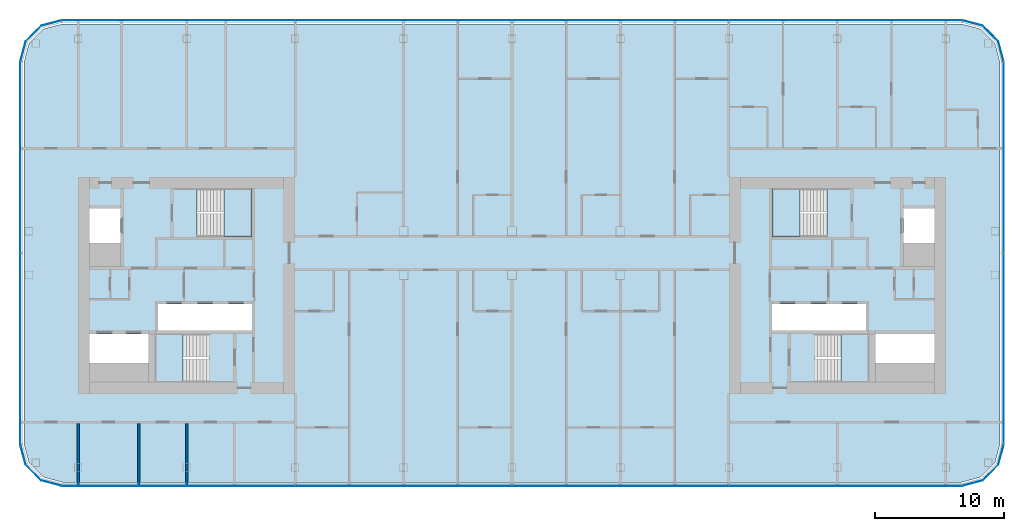
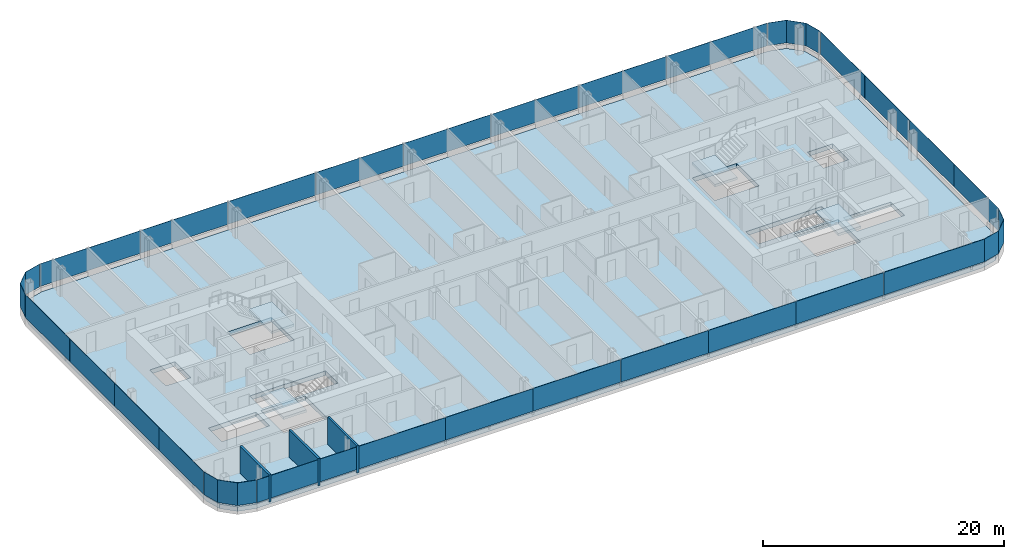
# One storey, part 12 of 26: 28 plates, 5 slabs, 3 walls, 12 elements without a shape of their own.
"""IFC4 building model written with IfcOpenShell, lengths in metres."""

from ifc_helpers import new_model, si_unit, direction, frame, frame_2d, origin, origin_2d, place, context, subcontext, project, spatial, polyline, rectangle, outline, extrude, material, layer, layer_set, type_object, element, aggregate, save


model = new_model("IFC4")

# Units and contexts
model_context = context("Model", 3, precision=1e-05, world=origin(), true_north=direction((0.0, 1.0)))
body_context = subcontext(model_context, "Body", "Model", "MODEL_VIEW")
ifc_project = project(units=[si_unit("LENGTHUNIT", "METRE"), si_unit("AREAUNIT", "SQUARE_METRE"), si_unit("VOLUMEUNIT", "CUBIC_METRE"), si_unit("PLANEANGLEUNIT", "RADIAN"), si_unit("MASSUNIT", "GRAM", prefix="KILO")], contexts=[model_context])

# Site, building, storey
site_placement = place(None, origin())
site = spatial("IfcSite", under=ifc_project, at=site_placement, CompositionType="ELEMENT")
building_placement = place(site_placement, origin())
building = spatial("IfcBuilding", under=site, at=building_placement, Name="Hakoniwa Tower and Hamabe Station Hall", CompositionType="ELEMENT")
storey_placement = place(building_placement, frame((0.0, 0.0, 215.39990234375)))
storey = spatial("IfcBuildingStorey", under=building, at=storey_placement, Name="L61", CompositionType="ELEMENT", Elevation=215.39990234375)

# Stair, slab
ifc_material_1 = material(Name="Concrete C40", Category="concrete")
stair_type = type_object("IfcStairType", Name="ESCAPE STAIR 1800", PredefinedType="HALF_TURN_STAIR", material=ifc_material_1)
stair_1_placement = place(storey_placement, origin())
stair_1 = element("IfcStair", 1, at=stair_1_placement, inside=storey, type_object=stair_type, Name="Escape stair ST-1 L61", PredefinedType="HALF_TURN_STAIR")
ifc_material_2 = material(Name="Concrete C40", Category="concrete")
ifc_layer_1 = layer(ifc_material_2, 0.25)
ifc_layer_set_1 = layer_set([ifc_layer_1], Name="CORE STAIR LANDING 250")
slab_type_1 = type_object("IfcSlabType", Name="CORE STAIR LANDING 250", PredefinedType="LANDING", material=ifc_layer_set_1)
slab_1_placement = place(storey_placement, frame((0.0, 0.0, 1.35009765625)))
slab_1 = element("IfcSlab", 2, at=slab_1_placement, type_object=slab_type_1, Name="ST-1 landing 1", PredefinedType="LANDING", context=body_context, shape_type="SweptSolid", body=[
    extrude(outline(polyline([(-22.320068359375, 3.75), (-20.14990234375, 3.75), (-20.14990234375, 7.5), (-22.320068359375, 7.5), (-22.320068359375, 3.75)])), origin(), (0.0, 0.0, 1.0), 0.25),
])
aggregate(stair_1, [slab_1])

stair_2_placement = place(storey_placement, origin())
stair_2 = element("IfcStair", 3, at=stair_2_placement, inside=storey, type_object=stair_type, Name="Escape stair ST-2 L61", PredefinedType="HALF_TURN_STAIR")
slab_2_placement = place(storey_placement, frame((0.0, 0.0, 1.35009765625)))
slab_2 = element("IfcSlab", 4, at=slab_2_placement, type_object=slab_type_1, Name="ST-2 landing 1", PredefinedType="LANDING", context=body_context, shape_type="SweptSolid", body=[
    extrude(outline(polyline([(-25.47998046875, -7.5), (-27.64990234375, -7.5), (-27.64990234375, -3.75), (-25.47998046875, -3.75), (-25.47998046875, -7.5)])), origin(), (0.0, 0.0, 1.0), 0.25),
])
aggregate(stair_2, [slab_2])

stair_3_placement = place(storey_placement, origin())
stair_3 = element("IfcStair", 5, at=stair_3_placement, inside=storey, type_object=stair_type, Name="Escape stair ST-3 L61", PredefinedType="HALF_TURN_STAIR")
slab_3_placement = place(storey_placement, frame((0.0, 0.0, 1.35009765625)))
slab_3 = element("IfcSlab", 6, at=slab_3_placement, type_object=slab_type_1, Name="ST-3 landing 1", PredefinedType="LANDING", context=body_context, shape_type="SweptSolid", body=[
    extrude(outline(polyline([(22.320068359375, 3.75), (20.14990234375, 3.75), (20.14990234375, 7.5), (22.320068359375, 7.5), (22.320068359375, 3.75)])), origin(), (0.0, 0.0, 1.0), 0.25),
])
aggregate(stair_3, [slab_3])

stair_4_placement = place(storey_placement, origin())
stair_4 = element("IfcStair", 7, at=stair_4_placement, inside=storey, type_object=stair_type, Name="Escape stair ST-4 L61", PredefinedType="HALF_TURN_STAIR")
slab_4_placement = place(storey_placement, frame((0.0, 0.0, 1.35009765625)))
slab_4 = element("IfcSlab", 8, at=slab_4_placement, type_object=slab_type_1, Name="ST-4 landing 1", PredefinedType="LANDING", context=body_context, shape_type="SweptSolid", body=[
    extrude(outline(polyline([(25.47998046875, -7.5), (27.64990234375, -7.5), (27.64990234375, -3.75), (25.47998046875, -3.75), (25.47998046875, -7.5)])), origin(), (0.0, 0.0, 1.0), 0.25),
])
aggregate(stair_4, [slab_4])

# Curtain wall, plates
ifc_material_3 = material(Name="Dark low-e laminated glass", Category="glass")
ifc_layer_2 = layer(ifc_material_3, 0.199951171875)
ifc_layer_set_2 = layer_set([ifc_layer_2], Name="CW-1 UNITISED GUEST")
curtain_wall_type = type_object("IfcCurtainWallType", Name="CW-1 UNITISED GUEST", PredefinedType="NOTDEFINED", material=ifc_layer_set_2)
curtain_wall_1_placement = place(storey_placement, origin())
curtain_wall_1 = element("IfcCurtainWall", 9, at=curtain_wall_1_placement, inside=storey, type_object=curtain_wall_type, Name="CW-1 curtain wall", PredefinedType="NOTDEFINED")
ifc_material_4 = material(Name="Dark low-e laminated glass", Category="glass")
ifc_layer_3 = layer(ifc_material_4, 0.028076171875)
ifc_layer_set_3 = layer_set([ifc_layer_3], Name="CW-1 GLASS UNIT")
plate_type = type_object("IfcPlateType", Name="CW-1 GLASS UNIT", PredefinedType="CURTAIN_PANEL", material=ifc_layer_set_3)
plate_1_placement = place(storey_placement, frame((38.0859375, -8.592041015625, 0.35009765625), z_axis=(0.0, 0.0, 1.0), x_axis=(0.0, 1.0, 0.0)))
plate_1 = element("IfcPlate", 10, at=plate_1_placement, type_object=plate_type, Name="CW-1 glass unit", PredefinedType="CURTAIN_PANEL", context=body_context, shape_type="SweptSolid", body=[
    extrude(rectangle(XDim=7.374755859375, YDim=0.028076171875, at=origin_2d()), origin(), (0.0, 0.0, 1.0), 2.300048828125),
])
plate_2_placement = place(storey_placement, frame((38.0859375, -1.197265625, 0.35009765625), z_axis=(0.0, 0.0, 1.0), x_axis=(0.0, 1.0, 0.0)))
plate_2 = element("IfcPlate", 11, at=plate_2_placement, type_object=plate_type, Name="CW-1 glass unit", PredefinedType="CURTAIN_PANEL", context=body_context, shape_type="SweptSolid", body=[
    extrude(rectangle(XDim=7.374755859375, YDim=0.028076171875, at=origin_2d()), origin(), (0.0, 0.0, 1.0), 2.300048828125),
])
plate_3_placement = place(storey_placement, frame((38.0859375, 6.197265625, 0.35009765625), z_axis=(0.0, 0.0, 1.0), x_axis=(0.0, 1.0, 0.0)))
plate_3 = element("IfcPlate", 12, at=plate_3_placement, type_object=plate_type, Name="CW-1 glass unit", PredefinedType="CURTAIN_PANEL", context=body_context, shape_type="SweptSolid", body=[
    extrude(rectangle(XDim=7.374755859375, YDim=0.028076171875, at=origin_2d()), origin(), (0.0, 0.0, 1.0), 2.300048828125),
])
plate_4_placement = place(storey_placement, frame((38.0859375, 13.592041015625, 0.35009765625), z_axis=(0.0, 0.0, 1.0), x_axis=(0.0, 1.0, 0.0)))
plate_4 = element("IfcPlate", 13, at=plate_4_placement, type_object=plate_type, Name="CW-1 glass unit", PredefinedType="CURTAIN_PANEL", context=body_context, shape_type="SweptSolid", body=[
    extrude(rectangle(XDim=7.374755859375, YDim=0.028076171875, at=origin_2d()), origin(), (0.0, 0.0, 1.0), 2.300048828125),
])
aggregate(curtain_wall_1, [plate_1, plate_2, plate_3, plate_4])

# Curtain wall, plate
curtain_wall_2_placement = place(storey_placement, origin())
curtain_wall_2 = element("IfcCurtainWall", 14, at=curtain_wall_2_placement, inside=storey, type_object=curtain_wall_type, Name="CW-1 curtain wall", PredefinedType="NOTDEFINED")
plate_5_placement = place(storey_placement, frame((0.0, 0.0, 0.35009765625)))
plate_5 = element("IfcPlate", 15, at=plate_5_placement, type_object=plate_type, Name="CW-1 curved corner unit", PredefinedType="CURTAIN_PANEL", context=body_context, shape_type="SweptSolid", body=[
    extrude(outline(polyline([(38.089599609375, 17.328125), (37.6669921875, 18.9052734375), (36.455322265625, 20.116943359375), (34.878173828125, 20.53955078125), (34.870849609375, 20.5126953125), (36.44091796875, 20.092041015625), (37.641845703125, 18.890869140625), (38.0625, 17.32080078125), (38.089599609375, 17.328125)])), origin(), (0.0, 0.0, 1.0), 2.300048828125),
])
aggregate(curtain_wall_2, [plate_5])

# Curtain wall, plates
curtain_wall_3_placement = place(storey_placement, origin())
curtain_wall_3 = element("IfcCurtainWall", 16, at=curtain_wall_3_placement, inside=storey, type_object=curtain_wall_type, Name="CW-1 curtain wall", PredefinedType="NOTDEFINED")
plate_6_placement = place(storey_placement, frame((30.019775390625, 20.535888671875, 0.35009765625), z_axis=(0.0, 0.0, 1.0), x_axis=(-1.0, 0.0, 0.0)))
plate_6 = element("IfcPlate", 17, at=plate_6_placement, type_object=plate_type, Name="CW-1 glass unit", PredefinedType="CURTAIN_PANEL", context=body_context, shape_type="SweptSolid", body=[
    extrude(rectangle(XDim=9.619384765625, YDim=0.028076171875, at=origin_2d()), origin(), (0.0, 0.0, 1.0), 2.300048828125),
])
plate_7_placement = place(storey_placement, frame((21.0, 20.535888671875, 0.35009765625), z_axis=(0.0, 0.0, 1.0), x_axis=(-1.0, 0.0, 0.0)))
plate_7 = element("IfcPlate", 18, at=plate_7_placement, type_object=plate_type, Name="CW-1 glass unit", PredefinedType="CURTAIN_PANEL", context=body_context, shape_type="SweptSolid", body=[
    extrude(rectangle(XDim=8.3798828125, YDim=0.028076171875, at=origin_2d()), origin(), (0.0, 0.0, 1.0), 2.300048828125),
])
plate_8_placement = place(storey_placement, frame((12.60009765625, 20.535888671875, 0.35009765625), z_axis=(0.0, 0.0, 1.0), x_axis=(-1.0, 0.0, 0.0)))
plate_8 = element("IfcPlate", 19, at=plate_8_placement, type_object=plate_type, Name="CW-1 glass unit", PredefinedType="CURTAIN_PANEL", context=body_context, shape_type="SweptSolid", body=[
    extrude(rectangle(XDim=8.3798828125, YDim=0.028076171875, at=origin_2d()), origin(), (0.0, 0.0, 1.0), 2.300048828125),
])
plate_9_placement = place(storey_placement, frame((4.199951171875, 20.535888671875, 0.35009765625), z_axis=(0.0, 0.0, 1.0), x_axis=(-1.0, 0.0, 0.0)))
plate_9 = element("IfcPlate", 20, at=plate_9_placement, type_object=plate_type, Name="CW-1 glass unit", PredefinedType="CURTAIN_PANEL", context=body_context, shape_type="SweptSolid", body=[
    extrude(rectangle(XDim=8.3798828125, YDim=0.028076171875, at=origin_2d()), origin(), (0.0, 0.0, 1.0), 2.300048828125),
])
plate_10_placement = place(storey_placement, frame((-4.199951171875, 20.535888671875, 0.35009765625), z_axis=(0.0, 0.0, 1.0), x_axis=(-1.0, 0.0, 0.0)))
plate_10 = element("IfcPlate", 21, at=plate_10_placement, type_object=plate_type, Name="CW-1 glass unit", PredefinedType="CURTAIN_PANEL", context=body_context, shape_type="SweptSolid", body=[
    extrude(rectangle(XDim=8.3798828125, YDim=0.028076171875, at=origin_2d()), origin(), (0.0, 0.0, 1.0), 2.300048828125),
])
plate_11_placement = place(storey_placement, frame((-12.60009765625, 20.535888671875, 0.35009765625), z_axis=(0.0, 0.0, 1.0), x_axis=(-1.0, 0.0, 0.0)))
plate_11 = element("IfcPlate", 22, at=plate_11_placement, type_object=plate_type, Name="CW-1 glass unit", PredefinedType="CURTAIN_PANEL", context=body_context, shape_type="SweptSolid", body=[
    extrude(rectangle(XDim=8.3798828125, YDim=0.028076171875, at=origin_2d()), origin(), (0.0, 0.0, 1.0), 2.300048828125),
])
plate_12_placement = place(storey_placement, frame((-21.0, 20.535888671875, 0.35009765625), z_axis=(0.0, 0.0, 1.0), x_axis=(-1.0, 0.0, 0.0)))
plate_12 = element("IfcPlate", 23, at=plate_12_placement, type_object=plate_type, Name="CW-1 glass unit", PredefinedType="CURTAIN_PANEL", context=body_context, shape_type="SweptSolid", body=[
    extrude(rectangle(XDim=8.3798828125, YDim=0.028076171875, at=origin_2d()), origin(), (0.0, 0.0, 1.0), 2.300048828125),
])
plate_13_placement = place(storey_placement, frame((-30.019775390625, 20.535888671875, 0.35009765625), z_axis=(0.0, 0.0, 1.0), x_axis=(-1.0, 0.0, 0.0)))
plate_13 = element("IfcPlate", 24, at=plate_13_placement, type_object=plate_type, Name="CW-1 glass unit", PredefinedType="CURTAIN_PANEL", context=body_context, shape_type="SweptSolid", body=[
    extrude(rectangle(XDim=9.619384765625, YDim=0.028076171875, at=origin_2d()), origin(), (0.0, 0.0, 1.0), 2.300048828125),
])
aggregate(curtain_wall_3, [plate_6, plate_7, plate_8, plate_9, plate_10, plate_11, plate_12, plate_13])

# Curtain wall, plate
curtain_wall_4_placement = place(storey_placement, origin())
curtain_wall_4 = element("IfcCurtainWall", 25, at=curtain_wall_4_placement, inside=storey, type_object=curtain_wall_type, Name="CW-1 curtain wall", PredefinedType="NOTDEFINED")
plate_14_placement = place(storey_placement, frame((0.0, 0.0, 0.35009765625)))
plate_14 = element("IfcPlate", 26, at=plate_14_placement, type_object=plate_type, Name="CW-1 curved corner unit", PredefinedType="CURTAIN_PANEL", context=body_context, shape_type="SweptSolid", body=[
    extrude(outline(polyline([(-34.878173828125, 20.53955078125), (-36.455322265625, 20.116943359375), (-37.6669921875, 18.9052734375), (-38.089599609375, 17.328125), (-38.0625, 17.32080078125), (-37.641845703125, 18.890869140625), (-36.44091796875, 20.092041015625), (-34.870849609375, 20.5126953125), (-34.878173828125, 20.53955078125)])), origin(), (0.0, 0.0, 1.0), 2.300048828125),
])
aggregate(curtain_wall_4, [plate_14])

# Curtain wall, plates
curtain_wall_5_placement = place(storey_placement, origin())
curtain_wall_5 = element("IfcCurtainWall", 27, at=curtain_wall_5_placement, inside=storey, type_object=curtain_wall_type, Name="CW-1 curtain wall", PredefinedType="NOTDEFINED")
plate_15_placement = place(storey_placement, frame((-38.0859375, 13.592041015625, 0.35009765625), z_axis=(0.0, 0.0, 1.0), x_axis=(0.0, -1.0, 0.0)))
plate_15 = element("IfcPlate", 28, at=plate_15_placement, type_object=plate_type, Name="CW-1 glass unit", PredefinedType="CURTAIN_PANEL", context=body_context, shape_type="SweptSolid", body=[
    extrude(rectangle(XDim=7.374755859375, YDim=0.028076171875, at=origin_2d()), origin(), (0.0, 0.0, 1.0), 2.300048828125),
])
plate_16_placement = place(storey_placement, frame((-38.0859375, 6.197265625, 0.35009765625), z_axis=(0.0, 0.0, 1.0), x_axis=(0.0, -1.0, 0.0)))
plate_16 = element("IfcPlate", 29, at=plate_16_placement, type_object=plate_type, Name="CW-1 glass unit", PredefinedType="CURTAIN_PANEL", context=body_context, shape_type="SweptSolid", body=[
    extrude(rectangle(XDim=7.374755859375, YDim=0.028076171875, at=origin_2d()), origin(), (0.0, 0.0, 1.0), 2.300048828125),
])
plate_17_placement = place(storey_placement, frame((-38.0859375, -1.197265625, 0.35009765625), z_axis=(0.0, 0.0, 1.0), x_axis=(0.0, -1.0, 0.0)))
plate_17 = element("IfcPlate", 30, at=plate_17_placement, type_object=plate_type, Name="CW-1 glass unit", PredefinedType="CURTAIN_PANEL", context=body_context, shape_type="SweptSolid", body=[
    extrude(rectangle(XDim=7.374755859375, YDim=0.028076171875, at=origin_2d()), origin(), (0.0, 0.0, 1.0), 2.300048828125),
])
plate_18_placement = place(storey_placement, frame((-38.0859375, -8.592041015625, 0.35009765625), z_axis=(0.0, 0.0, 1.0), x_axis=(0.0, -1.0, 0.0)))
plate_18 = element("IfcPlate", 31, at=plate_18_placement, type_object=plate_type, Name="CW-1 glass unit", PredefinedType="CURTAIN_PANEL", context=body_context, shape_type="SweptSolid", body=[
    extrude(rectangle(XDim=7.374755859375, YDim=0.028076171875, at=origin_2d()), origin(), (0.0, 0.0, 1.0), 2.300048828125),
])
aggregate(curtain_wall_5, [plate_15, plate_16, plate_17, plate_18])

# Curtain wall, plate
curtain_wall_6_placement = place(storey_placement, origin())
curtain_wall_6 = element("IfcCurtainWall", 32, at=curtain_wall_6_placement, inside=storey, type_object=curtain_wall_type, Name="CW-1 curtain wall", PredefinedType="NOTDEFINED")
plate_19_placement = place(storey_placement, frame((0.0, 0.0, 0.35009765625)))
plate_19 = element("IfcPlate", 33, at=plate_19_placement, type_object=plate_type, Name="CW-1 curved corner unit", PredefinedType="CURTAIN_PANEL", context=body_context, shape_type="SweptSolid", body=[
    extrude(outline(polyline([(-38.089599609375, -12.328125), (-37.6669921875, -13.9052734375), (-36.455322265625, -15.116943359375), (-34.878173828125, -15.53955078125), (-34.870849609375, -15.5126953125), (-36.44091796875, -15.092041015625), (-37.641845703125, -13.890869140625), (-38.0625, -12.32080078125), (-38.089599609375, -12.328125)])), origin(), (0.0, 0.0, 1.0), 2.300048828125),
])
aggregate(curtain_wall_6, [plate_19])

# Curtain wall, plates
curtain_wall_7_placement = place(storey_placement, origin())
curtain_wall_7 = element("IfcCurtainWall", 34, at=curtain_wall_7_placement, inside=storey, type_object=curtain_wall_type, Name="CW-1 curtain wall", PredefinedType="NOTDEFINED")
plate_20_placement = place(storey_placement, frame((-30.019775390625, -15.535888671875, 0.35009765625), z_axis=(0.0, 0.0, 1.0), x_axis=(1.0, 0.0, 0.0)))
plate_20 = element("IfcPlate", 35, at=plate_20_placement, type_object=plate_type, Name="CW-1 glass unit", PredefinedType="CURTAIN_PANEL", context=body_context, shape_type="SweptSolid", body=[
    extrude(rectangle(XDim=9.619384765625, YDim=0.028076171875, at=origin_2d()), origin(), (0.0, 0.0, 1.0), 2.300048828125),
])
plate_21_placement = place(storey_placement, frame((-21.0, -15.535888671875, 0.35009765625), z_axis=(0.0, 0.0, 1.0), x_axis=(1.0, 0.0, 0.0)))
plate_21 = element("IfcPlate", 36, at=plate_21_placement, type_object=plate_type, Name="CW-1 glass unit", PredefinedType="CURTAIN_PANEL", context=body_context, shape_type="SweptSolid", body=[
    extrude(rectangle(XDim=8.3798828125, YDim=0.028076171875, at=origin_2d()), origin(), (0.0, 0.0, 1.0), 2.300048828125),
])
plate_22_placement = place(storey_placement, frame((-12.60009765625, -15.535888671875, 0.35009765625), z_axis=(0.0, 0.0, 1.0), x_axis=(1.0, 0.0, 0.0)))
plate_22 = element("IfcPlate", 37, at=plate_22_placement, type_object=plate_type, Name="CW-1 glass unit", PredefinedType="CURTAIN_PANEL", context=body_context, shape_type="SweptSolid", body=[
    extrude(rectangle(XDim=8.3798828125, YDim=0.028076171875, at=origin_2d()), origin(), (0.0, 0.0, 1.0), 2.300048828125),
])
plate_23_placement = place(storey_placement, frame((-4.199951171875, -15.535888671875, 0.35009765625), z_axis=(0.0, 0.0, 1.0), x_axis=(1.0, 0.0, 0.0)))
plate_23 = element("IfcPlate", 38, at=plate_23_placement, type_object=plate_type, Name="CW-1 glass unit", PredefinedType="CURTAIN_PANEL", context=body_context, shape_type="SweptSolid", body=[
    extrude(rectangle(XDim=8.3798828125, YDim=0.028076171875, at=origin_2d()), origin(), (0.0, 0.0, 1.0), 2.300048828125),
])
plate_24_placement = place(storey_placement, frame((4.199951171875, -15.535888671875, 0.35009765625), z_axis=(0.0, 0.0, 1.0), x_axis=(1.0, 0.0, 0.0)))
plate_24 = element("IfcPlate", 39, at=plate_24_placement, type_object=plate_type, Name="CW-1 glass unit", PredefinedType="CURTAIN_PANEL", context=body_context, shape_type="SweptSolid", body=[
    extrude(rectangle(XDim=8.3798828125, YDim=0.028076171875, at=origin_2d()), origin(), (0.0, 0.0, 1.0), 2.300048828125),
])
plate_25_placement = place(storey_placement, frame((12.60009765625, -15.535888671875, 0.35009765625), z_axis=(0.0, 0.0, 1.0), x_axis=(1.0, 0.0, 0.0)))
plate_25 = element("IfcPlate", 40, at=plate_25_placement, type_object=plate_type, Name="CW-1 glass unit", PredefinedType="CURTAIN_PANEL", context=body_context, shape_type="SweptSolid", body=[
    extrude(rectangle(XDim=8.3798828125, YDim=0.028076171875, at=origin_2d()), origin(), (0.0, 0.0, 1.0), 2.300048828125),
])
plate_26_placement = place(storey_placement, frame((21.0, -15.535888671875, 0.35009765625), z_axis=(0.0, 0.0, 1.0), x_axis=(1.0, 0.0, 0.0)))
plate_26 = element("IfcPlate", 41, at=plate_26_placement, type_object=plate_type, Name="CW-1 glass unit", PredefinedType="CURTAIN_PANEL", context=body_context, shape_type="SweptSolid", body=[
    extrude(rectangle(XDim=8.3798828125, YDim=0.028076171875, at=origin_2d()), origin(), (0.0, 0.0, 1.0), 2.300048828125),
])
plate_27_placement = place(storey_placement, frame((30.019775390625, -15.535888671875, 0.35009765625), z_axis=(0.0, 0.0, 1.0), x_axis=(1.0, 0.0, 0.0)))
plate_27 = element("IfcPlate", 42, at=plate_27_placement, type_object=plate_type, Name="CW-1 glass unit", PredefinedType="CURTAIN_PANEL", context=body_context, shape_type="SweptSolid", body=[
    extrude(rectangle(XDim=9.619384765625, YDim=0.028076171875, at=origin_2d()), origin(), (0.0, 0.0, 1.0), 2.300048828125),
])
aggregate(curtain_wall_7, [plate_20, plate_21, plate_22, plate_23, plate_24, plate_25, plate_26, plate_27])

# Curtain wall, plate
curtain_wall_8_placement = place(storey_placement, origin())
curtain_wall_8 = element("IfcCurtainWall", 43, at=curtain_wall_8_placement, inside=storey, type_object=curtain_wall_type, Name="CW-1 curtain wall", PredefinedType="NOTDEFINED")
plate_28_placement = place(storey_placement, frame((0.0, 0.0, 0.35009765625)))
plate_28 = element("IfcPlate", 44, at=plate_28_placement, type_object=plate_type, Name="CW-1 curved corner unit", PredefinedType="CURTAIN_PANEL", context=body_context, shape_type="SweptSolid", body=[
    extrude(outline(polyline([(34.878173828125, -15.53955078125), (36.455322265625, -15.116943359375), (37.6669921875, -13.9052734375), (38.089599609375, -12.328125), (38.0625, -12.32080078125), (37.641845703125, -13.890869140625), (36.44091796875, -15.092041015625), (34.870849609375, -15.5126953125), (34.878173828125, -15.53955078125)])), origin(), (0.0, 0.0, 1.0), 2.300048828125),
])
aggregate(curtain_wall_8, [plate_28])

# Slab
ifc_material_5 = material(Name="Concrete C42", Category="concrete")
ifc_layer_4 = layer(ifc_material_5, 0.449951171875)
ifc_layer_set_4 = layer_set([ifc_layer_4], Name="PT FLAT PLATE 450")
slab_type_2 = type_object("IfcSlabType", Name="PT FLAT PLATE 450", PredefinedType="FLOOR", material=ifc_layer_set_4)
slab_5_placement = place(storey_placement, frame((0.0, 0.0, -0.449951171875)))
element("IfcSlab", 45, at=slab_5_placement, inside=storey, type_object=slab_type_2, Name="Floor slab L61", PredefinedType="FLOOR", context=body_context, shape_type="SweptSolid", body=[
    extrude(outline(polyline([(37.800048828125, -12.25), (37.800048828125, 17.25), (37.398193359375, 18.75), (36.300048828125, 19.84814453125), (34.800048828125, 20.25), (-34.800048828125, 20.25), (-36.300048828125, 19.84814453125), (-37.398193359375, 18.75), (-37.800048828125, 17.25), (-37.800048828125, -12.25), (-37.398193359375, -13.75), (-36.300048828125, -14.84814453125), (-34.800048828125, -15.25), (34.800048828125, -15.25), (36.300048828125, -14.84814453125), (37.398193359375, -13.75), (37.800048828125, -12.25)]), holes=[polyline([(-27.39990234375, -3.5), (-27.39990234375, -1.449951171875), (-20.14990234375, -1.449951171875), (-20.14990234375, -3.5), (-27.39990234375, -3.5)]), polyline([(-32.699951171875, 3.300048828125), (-32.699951171875, 5.949951171875), (-30.300048828125, 5.949951171875), (-30.300048828125, 3.300048828125), (-32.699951171875, 3.300048828125)]), polyline([(-32.699951171875, -6.0), (-32.699951171875, -3.75), (-28.14990234375, -3.75), (-28.14990234375, -6.0), (-32.699951171875, -6.0)]), polyline([(-24.389892578125, 3.75), (-24.389892578125, 7.5), (-20.14990234375, 7.5), (-20.14990234375, 3.75), (-24.389892578125, 3.75)]), polyline([(-27.64990234375, -7.5), (-27.64990234375, -3.75), (-23.409912109375, -3.75), (-23.409912109375, -7.5), (-27.64990234375, -7.5)]), polyline([(20.14990234375, -3.5), (20.14990234375, -1.449951171875), (27.39990234375, -1.449951171875), (27.39990234375, -3.5), (20.14990234375, -3.5)]), polyline([(30.300048828125, 3.300048828125), (30.300048828125, 5.949951171875), (32.699951171875, 5.949951171875), (32.699951171875, 3.300048828125), (30.300048828125, 3.300048828125)]), polyline([(28.14990234375, -6.0), (28.14990234375, -3.75), (32.699951171875, -3.75), (32.699951171875, -6.0), (28.14990234375, -6.0)]), polyline([(20.14990234375, 3.75), (20.14990234375, 7.5), (24.389892578125, 7.5), (24.389892578125, 3.75), (20.14990234375, 3.75)]), polyline([(23.409912109375, -7.5), (23.409912109375, -3.75), (27.64990234375, -3.75), (27.64990234375, -7.5), (23.409912109375, -7.5)])]), origin(), (0.0, 0.0, 1.0), 0.449951171875),
])

# Walls
ifc_material_6 = material(Name="Fire-rated gypsum board partition", Category="gypsum")
ifc_layer_5 = layer(ifc_material_6, 0.199951171875)
ifc_layer_set_5 = layer_set([ifc_layer_5], Name="Party Wall 200")
wall_type = type_object("IfcWallType", Name="Party Wall 200", PredefinedType="PARTITIONING", material=ifc_layer_set_5)
for number, where, z_axis, x_axis, name in (
    (46, (-33.60009765625, -15.550048828125, 0.0), (0.0, 0.0, 1.0), (0.0, 1.0, 0.0), "GW-L61-023"),
    (47, (-28.89990234375, -15.550048828125, 0.0), (0.0, 0.0, 1.0), (0.0, 1.0, 0.0), "GW-L61-026"),
    (48, (-25.199951171875, -15.550048828125, 0.0), (0.0, 0.0, 1.0), (0.0, 1.0, 0.0), "GW-L61-027"),
):
    element("IfcWall", number, at=place(storey_placement, frame(where, z_axis=z_axis, x_axis=x_axis)), inside=storey, type_object=wall_type, Name=name, PredefinedType="PARTITIONING", context=body_context, shape_type="SweptSolid", body=[
        extrude(rectangle(XDim=4.85009765625, YDim=0.199951171875, at=frame_2d((2.425048828125, 0.0))), origin(), (0.0, 0.0, 1.0), 2.75),
    ])

save(model, "model.ifc")
